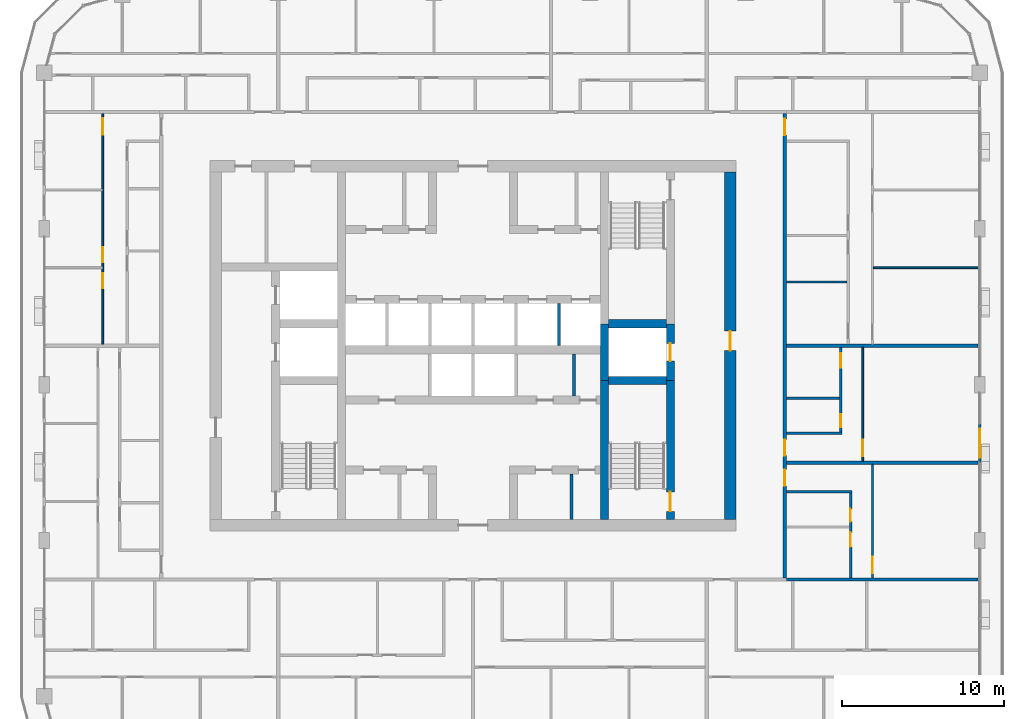
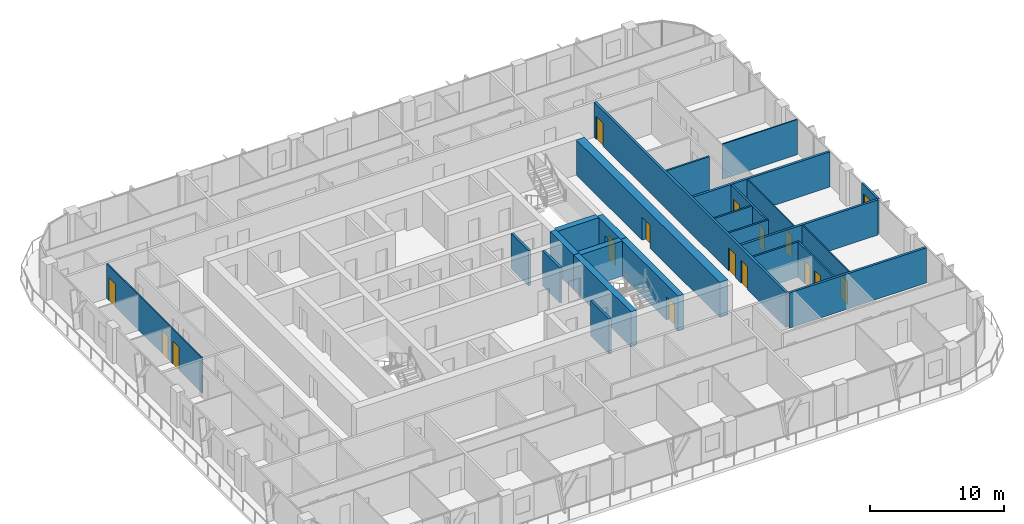
# One storey, part 12 of 22: 25 walls, 16 doors, 16 openings.
"""IFC4 building model written with IfcOpenShell, lengths in metres."""

from ifc_helpers import new_model, si_unit, direction, frame, frame_2d, origin, place, context, subcontext, project, spatial, rectangle, extrude, material, layer, layer_set, type_object, element, fill, save


model = new_model("IFC4")

# Units and contexts
model_context = context("Model", 3, precision=1e-05, world=origin(), true_north=direction((0.0, 1.0)))
body_context = subcontext(model_context, "Body", "Model", "MODEL_VIEW")
ifc_project = project(units=[si_unit("LENGTHUNIT", "METRE"), si_unit("AREAUNIT", "SQUARE_METRE"), si_unit("VOLUMEUNIT", "CUBIC_METRE"), si_unit("PLANEANGLEUNIT", "RADIAN"), si_unit("MASSUNIT", "GRAM", prefix="KILO")], contexts=[model_context])

# Site, building, storey
site_placement = place(None, origin())
site = spatial("IfcSite", under=ifc_project, at=site_placement, CompositionType="ELEMENT")
building_placement = place(site_placement, origin())
building = spatial("IfcBuilding", under=site, at=building_placement, Name="Madar Terraces", CompositionType="ELEMENT")
storey_placement = place(building_placement, frame((0.0, 0.0, 192.89990234375)))
storey = spatial("IfcBuildingStorey", under=building, at=storey_placement, Name="L50", CompositionType="ELEMENT", Elevation=192.89990234375)

# Walls
ifc_material_1 = material(Name="Concrete C60/75", Category="concrete")
ifc_layer_1 = layer(ifc_material_1, 0.5)
ifc_layer_set_1 = layer_set([ifc_layer_1], Name="Concrete C60/75 (CIW4 RC wall 500)")
wall_type_1 = type_object("IfcWallType", Name="CIW4 RC wall 500", PredefinedType="SHEAR", material=ifc_layer_set_1)
wall_1_placement = place(storey_placement, frame((39.300048828125, 15.699951171875, 0.0), z_axis=(0.0, 0.0, 1.0), x_axis=(0.0, 1.0, 0.0)))
element("IfcWall", 1, at=wall_1_placement, inside=storey, type_object=wall_type_1, Name="CORE SHAFT WALL", PredefinedType="SHEAR", context=body_context, shape_type="SweptSolid", body=[
    extrude(rectangle(XDim=8.550048828125, YDim=0.5, at=frame_2d((4.27490234375, 0.0))), origin(), (0.0, 0.0, 1.0), 3.2001953125),
])
wall_2_placement = place(storey_placement, frame((39.300048828125, 24.25, 0.0), z_axis=(0.0, 0.0, 1.0), x_axis=(0.0, 1.0, 0.0)))
element("IfcWall", 2, at=wall_2_placement, inside=storey, type_object=wall_type_1, Name="CORE SHAFT WALL", PredefinedType="SHEAR", context=body_context, shape_type="SweptSolid", body=[
    extrude(rectangle(XDim=3.5, YDim=0.5, at=frame_2d((1.75, 0.0))), origin(), (0.0, 0.0, 1.0), 3.2001953125),
])

# Wall, opening, door
wall_3_placement = place(storey_placement, frame((43.35009765625, 15.699951171875, 0.0), z_axis=(0.0, 0.0, 1.0), x_axis=(0.0, 1.0, 0.0)))
wall_3 = element("IfcWall", 3, at=wall_3_placement, inside=storey, type_object=wall_type_1, Name="CORE SHAFT WALL", PredefinedType="SHEAR", context=body_context, shape_type="SweptSolid", body=[
    extrude(rectangle(XDim=8.550048828125, YDim=0.5, at=frame_2d((4.27490234375, 0.0))), origin(), (0.0, 0.0, 1.0), 3.2001953125),
])
opening_1_placement = place(wall_3_placement, frame((0.5, 0.0, 0.0)))
opening_1 = element("IfcOpeningElement", 4, at=opening_1_placement, cuts=wall_3, Name="Opening SD1", PredefinedType="OPENING", context=body_context, shape_type="SweptSolid", body=[
    extrude(rectangle(XDim=1.199951171875, YDim=2.10009765625, at=frame_2d((0.60009765625, 1.050048828125))), frame((0.0, 0.260009765625, 0.0), z_axis=(0.0, -1.0, 0.0), x_axis=(1.0, 0.0, 0.0)), (0.0, 0.0, 1.0), 0.52001953125),
])
ifc_material_2 = material(Name="Steel door leaf", Category="steel")
door_type_1 = type_object("IfcDoorType", Name="Stair door 1200 x 2100", OperationType="NOTDEFINED", PredefinedType="DOOR", material=ifc_material_2)
door_1_placement = place(opening_1_placement, origin())
door_1 = element("IfcDoor", 5, at=door_1_placement, inside=storey, type_object=door_type_1, Name="STAIR DOOR", OperationType="SINGLE_SWING_LEFT", OverallHeight=2.10009765625, OverallWidth=1.199951171875, PredefinedType="DOOR", context=body_context, shape_type="SweptSolid", body=[
    extrude(rectangle(XDim=1.199951171875, YDim=2.10009765625, at=frame_2d((0.60009765625, 1.050048828125))), frame((0.0, 0.02490234375, 0.0), z_axis=(0.0, -1.0, 0.0), x_axis=(1.0, 0.0, 0.0)), (0.0, 0.0, 1.0), 0.050048828125),
])
fill(opening_1, door_1)

wall_4_placement = place(storey_placement, frame((43.35009765625, 24.25, 0.0), z_axis=(0.0, 0.0, 1.0), x_axis=(0.0, 1.0, 0.0)))
wall_4 = element("IfcWall", 6, at=wall_4_placement, inside=storey, type_object=wall_type_1, Name="CORE SHAFT WALL", PredefinedType="SHEAR", context=body_context, shape_type="SweptSolid", body=[
    extrude(rectangle(XDim=3.5, YDim=0.5, at=frame_2d((1.75, 0.0))), origin(), (0.0, 0.0, 1.0), 3.2001953125),
])
opening_2_placement = place(wall_4_placement, frame((1.199951171875, 0.0, 0.0)))
opening_2 = element("IfcOpeningElement", 7, at=opening_2_placement, cuts=wall_4, Name="Opening LD", PredefinedType="OPENING", context=body_context, shape_type="SweptSolid", body=[
    extrude(rectangle(XDim=1.10009765625, YDim=2.10009765625, at=frame_2d((0.550048828125, 1.050048828125))), frame((0.0, 0.260009765625, 0.0), z_axis=(0.0, -1.0, 0.0), x_axis=(1.0, 0.0, 0.0)), (0.0, 0.0, 1.0), 0.52001953125),
])
ifc_material_3 = material(Name="Stainless steel panel", Category="steel")
door_type_2 = type_object("IfcDoorType", Name="Lift landing door 1100 x 2100", OperationType="DOUBLE_DOOR_SLIDING", PredefinedType="DOOR", material=ifc_material_3)
door_2_placement = place(opening_2_placement, origin())
door_2 = element("IfcDoor", 8, at=door_2_placement, inside=storey, type_object=door_type_2, Name="LIFT LANDING DOOR", OperationType="DOUBLE_DOOR_SLIDING", OverallHeight=2.10009765625, OverallWidth=1.10009765625, PredefinedType="DOOR", context=body_context, shape_type="SweptSolid", body=[
    extrude(rectangle(XDim=1.10009765625, YDim=2.10009765625, at=frame_2d((0.550048828125, 1.050048828125))), frame((0.0, 0.02490234375, 0.0), z_axis=(0.0, -1.0, 0.0), x_axis=(1.0, 0.0, 0.0)), (0.0, 0.0, 1.0), 0.050048828125),
])
fill(opening_2, door_2)

# Walls
for number, where, z_axis, x_axis, name in (
    (9, (39.550048828125, 24.25, 0.0), (0.0, 0.0, 1.0), (1.0, 0.0, 0.0), "CORE SHAFT WALL"),
    (10, (39.550048828125, 27.75, 0.0), (0.0, 0.0, 1.0), (1.0, 0.0, 0.0), "CORE SHAFT WALL"),
):
    element("IfcWall", number, at=place(storey_placement, frame(where, z_axis=z_axis, x_axis=x_axis)), inside=storey, type_object=wall_type_1, Name=name, PredefinedType="SHEAR", context=body_context, shape_type="SweptSolid", body=[
        extrude(rectangle(XDim=3.550048828125, YDim=0.5, at=frame_2d((1.77490234375, 0.0))), origin(), (0.0, 0.0, 1.0), 3.2001953125),
    ])

# Wall, opening, door
ifc_material_4 = material(Name="Concrete C60/75", Category="concrete")
ifc_layer_2 = layer(ifc_material_4, 0.699951171875)
ifc_layer_set_2 = layer_set([ifc_layer_2], Name="Concrete C60/75 (CRW4 RC wall 700)")
wall_type_2 = type_object("IfcWallType", Name="CRW4 RC wall 700", PredefinedType="SHEAR", material=ifc_layer_set_2)
wall_5_placement = place(storey_placement, frame((47.050048828125, 15.699951171875, 0.0), z_axis=(0.0, 0.0, 1.0), x_axis=(0.0, 1.0, 0.0)))
wall_5 = element("IfcWall", 11, at=wall_5_placement, inside=storey, type_object=wall_type_2, Name="CORE OUTER WALL", PredefinedType="SHEAR", context=body_context, shape_type="SweptSolid", body=[
    extrude(rectangle(XDim=21.400146484375, YDim=0.699951171875, at=frame_2d((10.7001953125, 0.0))), origin(), (0.0, 0.0, 1.0), 3.2001953125),
])
opening_3_placement = place(wall_5_placement, frame((10.39990234375, 0.0, 0.0)))
opening_3 = element("IfcOpeningElement", 12, at=opening_3_placement, cuts=wall_5, Name="Opening SD1", PredefinedType="OPENING", context=body_context, shape_type="SweptSolid", body=[
    extrude(rectangle(XDim=1.199951171875, YDim=2.10009765625, at=frame_2d((0.60009765625, 1.050048828125))), frame((0.0, 0.35986328125, 0.0), z_axis=(0.0, -1.0, 0.0), x_axis=(1.0, 0.0, 0.0)), (0.0, 0.0, 1.0), 0.719970703125),
])
door_3_placement = place(opening_3_placement, origin())
door_3 = element("IfcDoor", 13, at=door_3_placement, inside=storey, type_object=door_type_1, Name="STAIR DOOR", OperationType="SINGLE_SWING_RIGHT", OverallHeight=2.10009765625, OverallWidth=1.199951171875, PredefinedType="DOOR", context=body_context, shape_type="SweptSolid", body=[
    extrude(rectangle(XDim=1.199951171875, YDim=2.10009765625, at=frame_2d((0.60009765625, 1.050048828125))), frame((0.0, 0.02490234375, 0.0), z_axis=(0.0, -1.0, 0.0), x_axis=(1.0, 0.0, 0.0)), (0.0, 0.0, 1.0), 0.050048828125),
])
fill(opening_3, door_3)

# Walls
ifc_material_5 = material(Name="Masonry blockwork", Category="masonry")
ifc_layer_3 = layer(ifc_material_5, 0.199951171875)
ifc_layer_set_3 = layer_set([ifc_layer_3], Name="Core partition 200 blockwork")
wall_type_3 = type_object("IfcWallType", Name="Core partition 200 blockwork", PredefinedType="PARTITIONING", material=ifc_layer_set_3)
wall_6_placement = place(storey_placement, frame((37.41796875, 23.300048828125, 0.0), z_axis=(0.0, 0.0, 1.0), x_axis=(0.0, 1.0, 0.0)))
element("IfcWall", 14, at=wall_6_placement, inside=storey, type_object=wall_type_3, Name="SERVICE ROOM PARTITION", PredefinedType="PARTITIONING", context=body_context, shape_type="SweptSolid", body=[
    extrude(rectangle(XDim=2.599853515625, YDim=0.199951171875, at=frame_2d((1.2998046875, 0.0))), origin(), (0.0, 0.0, 1.0), 3.2001953125),
])
wall_7_placement = place(storey_placement, frame((37.264892578125, 15.699951171875, 0.0), z_axis=(0.0, 0.0, 1.0), x_axis=(0.0, 1.0, 0.0)))
element("IfcWall", 15, at=wall_7_placement, inside=storey, type_object=wall_type_3, Name="SERVICE ROOM PARTITION", PredefinedType="PARTITIONING", context=body_context, shape_type="SweptSolid", body=[
    extrude(rectangle(XDim=2.800048828125, YDim=0.199951171875, at=frame_2d((1.39990234375, 0.0))), origin(), (0.0, 0.0, 1.0), 3.2001953125),
])
ifc_material_6 = material(Name="Concrete C40/50", Category="concrete")
ifc_layer_4 = layer(ifc_material_6, 0.199951171875)
ifc_layer_set_4 = layer_set([ifc_layer_4], Name="Core shaft dividing wall 200 C40/50")
wall_type_4 = type_object("IfcWallType", Name="Core shaft dividing wall 200 C40/50", PredefinedType="SOLIDWALL", material=ifc_layer_set_4)
wall_8_placement = place(storey_placement, frame((36.5, 26.39990234375, 0.0), z_axis=(0.0, 0.0, 1.0), x_axis=(0.0, 1.0, 0.0)))
element("IfcWall", 16, at=wall_8_placement, inside=storey, type_object=wall_type_4, Name="SHAFT DIVIDING WALL", PredefinedType="SOLIDWALL", context=body_context, shape_type="SweptSolid", body=[
    extrude(rectangle(XDim=2.60009765625, YDim=0.199951171875, at=frame_2d((1.300048828125, 0.0))), origin(), (0.0, 0.0, 1.0), 3.2001953125),
])

# Wall, opening, door
ifc_material_7 = material(Name="Aluminium composite panel, black, over insulated backing", Category="aluminium")
ifc_layer_5 = layer(ifc_material_7, 0.14990234375)
ifc_layer_set_5 = layer_set([ifc_layer_5], Name="Facade bay panel 150")
wall_type_5 = type_object("IfcWallType", Name="Facade bay panel 150", PredefinedType="SOLIDWALL", material=ifc_layer_set_5)
wall_9_placement = place(storey_placement, frame((62.39990234375, 19.199951171875, 0.0), z_axis=(0.0, 0.0, 1.0), x_axis=(0.0, 1.0, 0.0)))
wall_9 = element("IfcWall", 17, at=wall_9_placement, inside=storey, type_object=wall_type_5, Name="Facade bay panel", PredefinedType="SOLIDWALL", context=body_context, shape_type="SweptSolid", body=[
    extrude(rectangle(XDim=2.400146484375, YDim=0.14990234375, at=frame_2d((1.2001953125, 0.0))), origin(), (0.0, 0.0, 1.0), 3.2001953125),
])
opening_4_placement = place(wall_9_placement, frame((0.300048828125, 0.0, 0.0)))
opening_4 = element("IfcOpeningElement", 18, at=opening_4_placement, cuts=wall_9, Name="Opening ED1", PredefinedType="OPENING", context=body_context, shape_type="SweptSolid", body=[
    extrude(rectangle(XDim=1.800048828125, YDim=2.39990234375, at=frame_2d((0.89990234375, 1.199951171875))), frame((0.0, 0.0849609375, 0.0), z_axis=(0.0, -1.0, 0.0), x_axis=(1.0, 0.0, 0.0)), (0.0, 0.0, 1.0), 0.169921875),
])
ifc_material_8 = material(Name="Glass, clear, with black aluminium frame", Category="aluminium")
door_type_3 = type_object("IfcDoorType", Name="Balcony and terrace sliding door 1800 x 2400", OperationType="SLIDING_TO_LEFT", PredefinedType="DOOR", material=ifc_material_8)
door_4_placement = place(opening_4_placement, origin())
door_4 = element("IfcDoor", 19, at=door_4_placement, inside=storey, type_object=door_type_3, Name="Balcony door", OperationType="SLIDING_TO_RIGHT", OverallHeight=2.39990234375, OverallWidth=1.800048828125, PredefinedType="DOOR", context=body_context, shape_type="SweptSolid", body=[
    extrude(rectangle(XDim=1.800048828125, YDim=2.39990234375, at=frame_2d((0.89990234375, 1.199951171875))), frame((0.0, 0.02490234375, 0.0), z_axis=(0.0, -1.0, 0.0), x_axis=(1.0, 0.0, 0.0)), (0.0, 0.0, 1.0), 0.050048828125),
])
fill(opening_4, door_4)

ifc_material_9 = material(Name="Gypsum board on steel studs", Category="steel")
ifc_layer_6 = layer(ifc_material_9, 0.10009765625)
ifc_layer_set_6 = layer_set([ifc_layer_6], Name="Flat partition 100")
wall_type_6 = type_object("IfcWallType", Name="Flat partition 100", PredefinedType="PARTITIONING", material=ifc_layer_set_6)
wall_10_placement = place(storey_placement, frame((55.800048828125, 19.10009765625, 0.0), z_axis=(0.0, 0.0, 1.0), x_axis=(0.0, -1.0, 0.0)))
wall_10 = element("IfcWall", 20, at=wall_10_placement, inside=storey, type_object=wall_type_6, Name="Flat partition 100", PredefinedType="PARTITIONING", context=body_context, shape_type="SweptSolid", body=[
    extrude(rectangle(XDim=7.0, YDim=0.10009765625, at=frame_2d((3.5, 0.0))), origin(), (0.0, 0.0, 1.0), 3.2001953125),
])
opening_5_placement = place(wall_10_placement, frame((5.699951171875, 0.0, 0.0)))
opening_5 = element("IfcOpeningElement", 21, at=opening_5_placement, cuts=wall_10, Name="Opening D3", PredefinedType="OPENING", context=body_context, shape_type="SweptSolid", body=[
    extrude(rectangle(XDim=1.0, YDim=2.10009765625, at=frame_2d((0.5, 1.050048828125))), frame((0.0, 0.06005859375, 0.0), z_axis=(0.0, -1.0, 0.0), x_axis=(1.0, 0.0, 0.0)), (0.0, 0.0, 1.0), 0.1201171875),
])
ifc_material_10 = material(Name="Timber door leaf", Category="wood")
door_type_4 = type_object("IfcDoorType", Name="Flat living room door 1000", OperationType="NOTDEFINED", PredefinedType="DOOR", material=ifc_material_10)
door_5_placement = place(opening_5_placement, origin())
door_5 = element("IfcDoor", 22, at=door_5_placement, inside=storey, type_object=door_type_4, Name="Flat living room door 1000", OperationType="SINGLE_SWING_RIGHT", OverallHeight=2.10009765625, OverallWidth=1.0, PredefinedType="DOOR", context=body_context, shape_type="SweptSolid", body=[
    extrude(rectangle(XDim=1.0, YDim=2.10009765625, at=frame_2d((0.5, 1.050048828125))), frame((0.0, 0.02490234375, 0.0), z_axis=(0.0, -1.0, 0.0), x_axis=(1.0, 0.0, 0.0)), (0.0, 0.0, 1.0), 0.050048828125),
])
fill(opening_5, door_5)

wall_11_placement = place(storey_placement, frame((55.199951171875, 26.300048828125, 0.0), z_axis=(0.0, 0.0, 1.0), x_axis=(0.0, -1.0, 0.0)))
wall_11 = element("IfcWall", 23, at=wall_11_placement, inside=storey, type_object=wall_type_6, Name="Flat partition 100", PredefinedType="PARTITIONING", context=body_context, shape_type="SweptSolid", body=[
    extrude(rectangle(XDim=7.0, YDim=0.10009765625, at=frame_2d((3.5, 0.0))), origin(), (0.0, 0.0, 1.0), 3.2001953125),
])
opening_6_placement = place(wall_11_placement, frame((5.699951171875, 0.0, 0.0)))
opening_6 = element("IfcOpeningElement", 24, at=opening_6_placement, cuts=wall_11, Name="Opening D3", PredefinedType="OPENING", context=body_context, shape_type="SweptSolid", body=[
    extrude(rectangle(XDim=1.0, YDim=2.10009765625, at=frame_2d((0.5, 1.050048828125))), frame((0.0, 0.06005859375, 0.0), z_axis=(0.0, -1.0, 0.0), x_axis=(1.0, 0.0, 0.0)), (0.0, 0.0, 1.0), 0.1201171875),
])
door_6_placement = place(opening_6_placement, origin())
door_6 = element("IfcDoor", 25, at=door_6_placement, inside=storey, type_object=door_type_4, Name="Flat living room door 1000", OperationType="SINGLE_SWING_RIGHT", OverallHeight=2.10009765625, OverallWidth=1.0, PredefinedType="DOOR", context=body_context, shape_type="SweptSolid", body=[
    extrude(rectangle(XDim=1.0, YDim=2.10009765625, at=frame_2d((0.5, 1.050048828125))), frame((0.0, 0.02490234375, 0.0), z_axis=(0.0, -1.0, 0.0), x_axis=(1.0, 0.0, 0.0)), (0.0, 0.0, 1.0), 0.050048828125),
])
fill(opening_6, door_6)

# Wall
wall_12_placement = place(storey_placement, frame((55.85009765625, 31.199951171875, 0.0), z_axis=(0.0, 0.0, 1.0), x_axis=(1.0, 0.0, 0.0)))
element("IfcWall", 26, at=wall_12_placement, inside=storey, type_object=wall_type_6, Name="Flat partition 100", PredefinedType="PARTITIONING", context=body_context, shape_type="SweptSolid", body=[
    extrude(rectangle(XDim=6.449951171875, YDim=0.10009765625, at=frame_2d((3.22509765625, 0.0))), origin(), (0.0, 0.0, 1.0), 3.2001953125),
])

# Wall, openings, doors
wall_13_placement = place(storey_placement, frame((8.39990234375, 26.5, 0.0), z_axis=(0.0, 0.0, 1.0), x_axis=(0.0, 1.0, 0.0)))
wall_13 = element("IfcWall", 27, at=wall_13_placement, inside=storey, type_object=wall_type_6, Name="Flat partition 100", PredefinedType="PARTITIONING", context=body_context, shape_type="SweptSolid", body=[
    extrude(rectangle(XDim=14.199951171875, YDim=0.10009765625, at=frame_2d((7.10009765625, 0.0))), origin(), (0.0, 0.0, 1.0), 3.2001953125),
])
opening_7_placement = place(wall_13_placement, frame((12.89990234375, 0.0, 0.0)))
opening_7 = element("IfcOpeningElement", 28, at=opening_7_placement, cuts=wall_13, Name="Opening D3", PredefinedType="OPENING", context=body_context, shape_type="SweptSolid", body=[
    extrude(rectangle(XDim=1.0, YDim=2.10009765625, at=frame_2d((0.5, 1.050048828125))), frame((0.0, 0.06005859375, 0.0), z_axis=(0.0, -1.0, 0.0), x_axis=(1.0, 0.0, 0.0)), (0.0, 0.0, 1.0), 0.1201171875),
])
opening_8_placement = place(wall_13_placement, frame((5.050048828125, 0.0, 0.0)))
opening_8 = element("IfcOpeningElement", 29, at=opening_8_placement, cuts=wall_13, Name="Opening D2", PredefinedType="OPENING", context=body_context, shape_type="SweptSolid", body=[
    extrude(rectangle(XDim=0.89990234375, YDim=2.10009765625, at=frame_2d((0.449951171875, 1.050048828125))), frame((0.0, 0.06005859375, 0.0), z_axis=(0.0, -1.0, 0.0), x_axis=(1.0, 0.0, 0.0)), (0.0, 0.0, 1.0), 0.1201171875),
])
opening_9_placement = place(wall_13_placement, frame((3.449951171875, 0.0, 0.0)))
opening_9 = element("IfcOpeningElement", 30, at=opening_9_placement, cuts=wall_13, Name="Opening D2", PredefinedType="OPENING", context=body_context, shape_type="SweptSolid", body=[
    extrude(rectangle(XDim=0.89990234375, YDim=2.10009765625, at=frame_2d((0.449951171875, 1.050048828125))), frame((0.0, 0.06005859375, 0.0), z_axis=(0.0, -1.0, 0.0), x_axis=(1.0, 0.0, 0.0)), (0.0, 0.0, 1.0), 0.1201171875),
])
door_7_placement = place(opening_7_placement, origin())
door_7 = element("IfcDoor", 31, at=door_7_placement, inside=storey, type_object=door_type_4, Name="Flat living room door 1000", OperationType="SINGLE_SWING_RIGHT", OverallHeight=2.10009765625, OverallWidth=1.0, PredefinedType="DOOR", context=body_context, shape_type="SweptSolid", body=[
    extrude(rectangle(XDim=1.0, YDim=2.10009765625, at=frame_2d((0.5, 1.050048828125))), frame((0.0, 0.02490234375, 0.0), z_axis=(0.0, -1.0, 0.0), x_axis=(1.0, 0.0, 0.0)), (0.0, 0.0, 1.0), 0.050048828125),
])
fill(opening_7, door_7)
ifc_material_11 = material(Name="Timber door leaf", Category="wood")
door_type_5 = type_object("IfcDoorType", Name="Flat room door 900", OperationType="NOTDEFINED", PredefinedType="DOOR", material=ifc_material_11)
door_8_placement = place(opening_8_placement, origin())
door_8 = element("IfcDoor", 32, at=door_8_placement, inside=storey, type_object=door_type_5, Name="Flat room door 900", OperationType="SINGLE_SWING_LEFT", OverallHeight=2.10009765625, OverallWidth=0.89990234375, PredefinedType="DOOR", context=body_context, shape_type="SweptSolid", body=[
    extrude(rectangle(XDim=0.89990234375, YDim=2.10009765625, at=frame_2d((0.449951171875, 1.050048828125))), frame((0.0, 0.02490234375, 0.0), z_axis=(0.0, -1.0, 0.0), x_axis=(1.0, 0.0, 0.0)), (0.0, 0.0, 1.0), 0.050048828125),
])
fill(opening_8, door_8)
door_9_placement = place(opening_9_placement, origin())
door_9 = element("IfcDoor", 33, at=door_9_placement, inside=storey, type_object=door_type_5, Name="Flat room door 900", OperationType="SINGLE_SWING_RIGHT", OverallHeight=2.10009765625, OverallWidth=0.89990234375, PredefinedType="DOOR", context=body_context, shape_type="SweptSolid", body=[
    extrude(rectangle(XDim=0.89990234375, YDim=2.10009765625, at=frame_2d((0.449951171875, 1.050048828125))), frame((0.0, 0.02490234375, 0.0), z_axis=(0.0, -1.0, 0.0), x_axis=(1.0, 0.0, 0.0)), (0.0, 0.0, 1.0), 0.050048828125),
])
fill(opening_9, door_9)

ifc_material_12 = material(Name="Lightweight blockwork", Category="masonry")
ifc_layer_7 = layer(ifc_material_12, 0.199951171875)
ifc_layer_set_7 = layer_set([ifc_layer_7], Name="Flat party and entrance wall 200")
wall_type_7 = type_object("IfcWallType", Name="Flat party and entrance wall 200", PredefinedType="PARTITIONING", material=ifc_layer_set_7)
wall_14_placement = place(storey_placement, frame((50.39990234375, 40.699951171875, 0.0), z_axis=(0.0, 0.0, 1.0), x_axis=(0.0, -1.0, 0.0)))
wall_14 = element("IfcWall", 34, at=wall_14_placement, inside=storey, type_object=wall_type_7, Name="Flat party and entrance wall 200", PredefinedType="PARTITIONING", context=body_context, shape_type="SweptSolid", body=[
    extrude(rectangle(XDim=28.599853515625, YDim=0.199951171875, at=frame_2d((14.2998046875, 0.0))), origin(), (0.0, 0.0, 1.0), 3.2001953125),
])
opening_10_placement = place(wall_14_placement, frame((21.925048828125, 0.0, 0.0)))
opening_10 = element("IfcOpeningElement", 35, at=opening_10_placement, cuts=wall_14, Name="Opening D1", PredefinedType="OPENING", context=body_context, shape_type="SweptSolid", body=[
    extrude(rectangle(XDim=1.0, YDim=2.10009765625, at=frame_2d((0.5, 1.050048828125))), frame((0.0, 0.10986328125, 0.0), z_axis=(0.0, -1.0, 0.0), x_axis=(1.0, 0.0, 0.0)), (0.0, 0.0, 1.0), 0.219970703125),
])
opening_11_placement = place(wall_14_placement, frame((20.074951171875, 0.0, 0.0)))
opening_11 = element("IfcOpeningElement", 36, at=opening_11_placement, cuts=wall_14, Name="Opening D1", PredefinedType="OPENING", context=body_context, shape_type="SweptSolid", body=[
    extrude(rectangle(XDim=1.0, YDim=2.10009765625, at=frame_2d((0.5, 1.050048828125))), frame((0.0, 0.10986328125, 0.0), z_axis=(0.0, -1.0, 0.0), x_axis=(1.0, 0.0, 0.0)), (0.0, 0.0, 1.0), 0.219970703125),
])
opening_12_placement = place(wall_14_placement, frame((0.324951171875, 0.0, 0.0)))
opening_12 = element("IfcOpeningElement", 37, at=opening_12_placement, cuts=wall_14, Name="Opening D1", PredefinedType="OPENING", context=body_context, shape_type="SweptSolid", body=[
    extrude(rectangle(XDim=1.0, YDim=2.10009765625, at=frame_2d((0.5, 1.050048828125))), frame((0.0, 0.10986328125, 0.0), z_axis=(0.0, -1.0, 0.0), x_axis=(1.0, 0.0, 0.0)), (0.0, 0.0, 1.0), 0.219970703125),
])
ifc_material_13 = material(Name="Timber fire door leaf", Category="wood")
door_type_6 = type_object("IfcDoorType", Name="Flat entrance door 1000 FD30S", OperationType="NOTDEFINED", PredefinedType="DOOR", material=ifc_material_13)
door_10_placement = place(opening_10_placement, origin())
door_10 = element("IfcDoor", 38, at=door_10_placement, inside=storey, type_object=door_type_6, Name="Flat entrance door 1000 FD30S", OperationType="SINGLE_SWING_LEFT", OverallHeight=2.10009765625, OverallWidth=1.0, PredefinedType="DOOR", context=body_context, shape_type="SweptSolid", body=[
    extrude(rectangle(XDim=1.0, YDim=2.10009765625, at=frame_2d((0.5, 1.050048828125))), frame((0.0, 0.02490234375, 0.0), z_axis=(0.0, -1.0, 0.0), x_axis=(1.0, 0.0, 0.0)), (0.0, 0.0, 1.0), 0.050048828125),
])
fill(opening_10, door_10)
door_11_placement = place(opening_11_placement, origin())
door_11 = element("IfcDoor", 39, at=door_11_placement, inside=storey, type_object=door_type_6, Name="Flat entrance door 1000 FD30S", OperationType="SINGLE_SWING_RIGHT", OverallHeight=2.10009765625, OverallWidth=1.0, PredefinedType="DOOR", context=body_context, shape_type="SweptSolid", body=[
    extrude(rectangle(XDim=1.0, YDim=2.10009765625, at=frame_2d((0.5, 1.050048828125))), frame((0.0, 0.02490234375, 0.0), z_axis=(0.0, -1.0, 0.0), x_axis=(1.0, 0.0, 0.0)), (0.0, 0.0, 1.0), 0.050048828125),
])
fill(opening_11, door_11)
door_12_placement = place(opening_12_placement, origin())
door_12 = element("IfcDoor", 40, at=door_12_placement, inside=storey, type_object=door_type_6, Name="Flat entrance door 1000 FD30S", OperationType="SINGLE_SWING_LEFT", OverallHeight=2.10009765625, OverallWidth=1.0, PredefinedType="DOOR", context=body_context, shape_type="SweptSolid", body=[
    extrude(rectangle(XDim=1.0, YDim=2.10009765625, at=frame_2d((0.5, 1.050048828125))), frame((0.0, 0.02490234375, 0.0), z_axis=(0.0, -1.0, 0.0), x_axis=(1.0, 0.0, 0.0)), (0.0, 0.0, 1.0), 0.050048828125),
])
fill(opening_12, door_12)

# Walls
for number, where, z_axis, x_axis, name in (
    (41, (50.5, 12.0, 0.0), (0.0, 0.0, 1.0), (1.0, 0.0, 0.0), "Flat party and entrance wall 200"),
    (42, (50.5, 19.199951171875, 0.0), (0.0, 0.0, 1.0), (1.0, 0.0, 0.0), "Flat party and entrance wall 200"),
    (43, (50.5, 26.39990234375, 0.0), (0.0, 0.0, 1.0), (1.0, 0.0, 0.0), "Flat party and entrance wall 200"),
):
    element("IfcWall", number, at=place(storey_placement, frame(where, z_axis=z_axis, x_axis=x_axis)), inside=storey, type_object=wall_type_7, Name=name, PredefinedType="PARTITIONING", context=body_context, shape_type="SweptSolid", body=[
        extrude(rectangle(XDim=11.800048828125, YDim=0.199951171875, at=frame_2d((5.89990234375, 0.0))), origin(), (0.0, 0.0, 1.0), 3.2001953125),
    ])
ifc_material_14 = material(Name="Lightweight blockwork", Category="masonry")
ifc_layer_8 = layer(ifc_material_14, 0.14990234375)
ifc_layer_set_8 = layer_set([ifc_layer_8], Name="Flat wet-room partition 150")
wall_type_8 = type_object("IfcWallType", Name="Flat wet-room partition 150", PredefinedType="PARTITIONING", material=ifc_layer_set_8)
wall_15_placement = place(storey_placement, frame((50.5, 17.39990234375, 0.0), z_axis=(0.0, 0.0, 1.0), x_axis=(1.0, 0.0, 0.0)))
element("IfcWall", 44, at=wall_15_placement, inside=storey, type_object=wall_type_8, Name="Flat wet-room partition 150", PredefinedType="PARTITIONING", context=body_context, shape_type="SweptSolid", body=[
    extrude(rectangle(XDim=4.02490234375, YDim=0.14990234375, at=frame_2d((2.012451171875, 0.0))), origin(), (0.0, 0.0, 1.0), 3.2001953125),
])

# Wall, openings, doors
wall_16_placement = place(storey_placement, frame((54.449951171875, 12.10009765625, 0.0), z_axis=(0.0, 0.0, 1.0), x_axis=(0.0, 1.0, 0.0)))
wall_16 = element("IfcWall", 45, at=wall_16_placement, inside=storey, type_object=wall_type_8, Name="Flat wet-room partition 150", PredefinedType="PARTITIONING", context=body_context, shape_type="SweptSolid", body=[
    extrude(rectangle(XDim=5.224853515625, YDim=0.14990234375, at=frame_2d((2.6123046875, 0.0))), origin(), (0.0, 0.0, 1.0), 3.2001953125),
])
opening_13_placement = place(wall_16_placement, frame((3.4599609375, 0.0, 0.0)))
opening_13 = element("IfcOpeningElement", 46, at=opening_13_placement, cuts=wall_16, Name="Opening D4", PredefinedType="OPENING", context=body_context, shape_type="SweptSolid", body=[
    extrude(rectangle(XDim=0.800048828125, YDim=2.10009765625, at=frame_2d((0.39990234375, 1.050048828125))), frame((0.0, 0.0849609375, 0.0), z_axis=(0.0, -1.0, 0.0), x_axis=(1.0, 0.0, 0.0)), (0.0, 0.0, 1.0), 0.169921875),
])
opening_14_placement = place(wall_16_placement, frame((1.909912109375, 0.0, 0.0)))
opening_14 = element("IfcOpeningElement", 47, at=opening_14_placement, cuts=wall_16, Name="Opening D2", PredefinedType="OPENING", context=body_context, shape_type="SweptSolid", body=[
    extrude(rectangle(XDim=0.89990234375, YDim=2.10009765625, at=frame_2d((0.449951171875, 1.050048828125))), frame((0.0, 0.0849609375, 0.0), z_axis=(0.0, -1.0, 0.0), x_axis=(1.0, 0.0, 0.0)), (0.0, 0.0, 1.0), 0.169921875),
])
ifc_material_15 = material(Name="Timber door leaf", Category="wood")
door_type_7 = type_object("IfcDoorType", Name="Flat bathroom door 800", OperationType="NOTDEFINED", PredefinedType="DOOR", material=ifc_material_15)
door_13_placement = place(opening_13_placement, origin())
door_13 = element("IfcDoor", 48, at=door_13_placement, inside=storey, type_object=door_type_7, Name="Flat bathroom door 800", OperationType="SINGLE_SWING_LEFT", OverallHeight=2.10009765625, OverallWidth=0.800048828125, PredefinedType="DOOR", context=body_context, shape_type="SweptSolid", body=[
    extrude(rectangle(XDim=0.800048828125, YDim=2.10009765625, at=frame_2d((0.39990234375, 1.050048828125))), frame((0.0, 0.02490234375, 0.0), z_axis=(0.0, -1.0, 0.0), x_axis=(1.0, 0.0, 0.0)), (0.0, 0.0, 1.0), 0.050048828125),
])
fill(opening_13, door_13)
door_14_placement = place(opening_14_placement, origin())
door_14 = element("IfcDoor", 49, at=door_14_placement, inside=storey, type_object=door_type_5, Name="Flat room door 900", OperationType="SINGLE_SWING_RIGHT", OverallHeight=2.10009765625, OverallWidth=0.89990234375, PredefinedType="DOOR", context=body_context, shape_type="SweptSolid", body=[
    extrude(rectangle(XDim=0.89990234375, YDim=2.10009765625, at=frame_2d((0.449951171875, 1.050048828125))), frame((0.0, 0.02490234375, 0.0), z_axis=(0.0, -1.0, 0.0), x_axis=(1.0, 0.0, 0.0)), (0.0, 0.0, 1.0), 0.050048828125),
])
fill(opening_14, door_14)

# Walls
wall_17_placement = place(storey_placement, frame((50.5, 23.1650390625, 0.0), z_axis=(0.0, 0.0, 1.0), x_axis=(1.0, 0.0, 0.0)))
element("IfcWall", 50, at=wall_17_placement, inside=storey, type_object=wall_type_8, Name="Flat wet-room partition 150", PredefinedType="PARTITIONING", context=body_context, shape_type="SweptSolid", body=[
    extrude(rectangle(XDim=3.27490234375, YDim=0.14990234375, at=frame_2d((1.637451171875, 0.0))), origin(), (0.0, 0.0, 1.0), 3.2001953125),
])
wall_18_placement = place(storey_placement, frame((50.5, 21.0, 0.0), z_axis=(0.0, 0.0, 1.0), x_axis=(1.0, 0.0, 0.0)))
element("IfcWall", 51, at=wall_18_placement, inside=storey, type_object=wall_type_8, Name="Flat wet-room partition 150", PredefinedType="PARTITIONING", context=body_context, shape_type="SweptSolid", body=[
    extrude(rectangle(XDim=3.425048828125, YDim=0.14990234375, at=frame_2d((1.71240234375, 0.0))), origin(), (0.0, 0.0, 1.0), 3.2001953125),
])

# Wall, openings, doors
wall_19_placement = place(storey_placement, frame((53.85009765625, 21.074951171875, 0.0), z_axis=(0.0, 0.0, 1.0), x_axis=(0.0, 1.0, 0.0)))
wall_19 = element("IfcWall", 52, at=wall_19_placement, inside=storey, type_object=wall_type_8, Name="Flat wet-room partition 150", PredefinedType="PARTITIONING", context=body_context, shape_type="SweptSolid", body=[
    extrude(rectangle(XDim=5.22509765625, YDim=0.14990234375, at=frame_2d((2.612548828125, 0.0))), origin(), (0.0, 0.0, 1.0), 3.2001953125),
])
opening_15_placement = place(wall_19_placement, frame((0.300048828125, 0.0, 0.0)))
opening_15 = element("IfcOpeningElement", 53, at=opening_15_placement, cuts=wall_19, Name="Opening D4", PredefinedType="OPENING", context=body_context, shape_type="SweptSolid", body=[
    extrude(rectangle(XDim=0.800048828125, YDim=2.10009765625, at=frame_2d((0.39990234375, 1.050048828125))), frame((0.0, 0.0849609375, 0.0), z_axis=(0.0, -1.0, 0.0), x_axis=(1.0, 0.0, 0.0)), (0.0, 0.0, 1.0), 0.169921875),
])
opening_16_placement = place(wall_19_placement, frame((3.97509765625, 0.0, 0.0)))
opening_16 = element("IfcOpeningElement", 54, at=opening_16_placement, cuts=wall_19, Name="Opening D2", PredefinedType="OPENING", context=body_context, shape_type="SweptSolid", body=[
    extrude(rectangle(XDim=0.89990234375, YDim=2.10009765625, at=frame_2d((0.449951171875, 1.050048828125))), frame((0.0, 0.0849609375, 0.0), z_axis=(0.0, -1.0, 0.0), x_axis=(1.0, 0.0, 0.0)), (0.0, 0.0, 1.0), 0.169921875),
])
door_15_placement = place(opening_15_placement, origin())
door_15 = element("IfcDoor", 55, at=door_15_placement, inside=storey, type_object=door_type_7, Name="Flat bathroom door 800", OperationType="SINGLE_SWING_LEFT", OverallHeight=2.10009765625, OverallWidth=0.800048828125, PredefinedType="DOOR", context=body_context, shape_type="SweptSolid", body=[
    extrude(rectangle(XDim=0.800048828125, YDim=2.10009765625, at=frame_2d((0.39990234375, 1.050048828125))), frame((0.0, 0.02490234375, 0.0), z_axis=(0.0, -1.0, 0.0), x_axis=(1.0, 0.0, 0.0)), (0.0, 0.0, 1.0), 0.050048828125),
])
fill(opening_15, door_15)
door_16_placement = place(opening_16_placement, origin())
door_16 = element("IfcDoor", 56, at=door_16_placement, inside=storey, type_object=door_type_5, Name="Flat room door 900", OperationType="SINGLE_SWING_RIGHT", OverallHeight=2.10009765625, OverallWidth=0.89990234375, PredefinedType="DOOR", context=body_context, shape_type="SweptSolid", body=[
    extrude(rectangle(XDim=0.89990234375, YDim=2.10009765625, at=frame_2d((0.449951171875, 1.050048828125))), frame((0.0, 0.02490234375, 0.0), z_axis=(0.0, -1.0, 0.0), x_axis=(1.0, 0.0, 0.0)), (0.0, 0.0, 1.0), 0.050048828125),
])
fill(opening_16, door_16)

# Wall
wall_20_placement = place(storey_placement, frame((50.5, 30.322998046875, 0.0), z_axis=(0.0, 0.0, 1.0), x_axis=(1.0, 0.0, 0.0)))
element("IfcWall", 57, at=wall_20_placement, inside=storey, type_object=wall_type_8, Name="Flat wet-room partition 150", PredefinedType="PARTITIONING", context=body_context, shape_type="SweptSolid", body=[
    extrude(rectangle(XDim=3.72509765625, YDim=0.14990234375, at=frame_2d((1.862548828125, 0.0))), origin(), (0.0, 0.0, 1.0), 3.2001953125),
])

save(model, "model.ifc")
